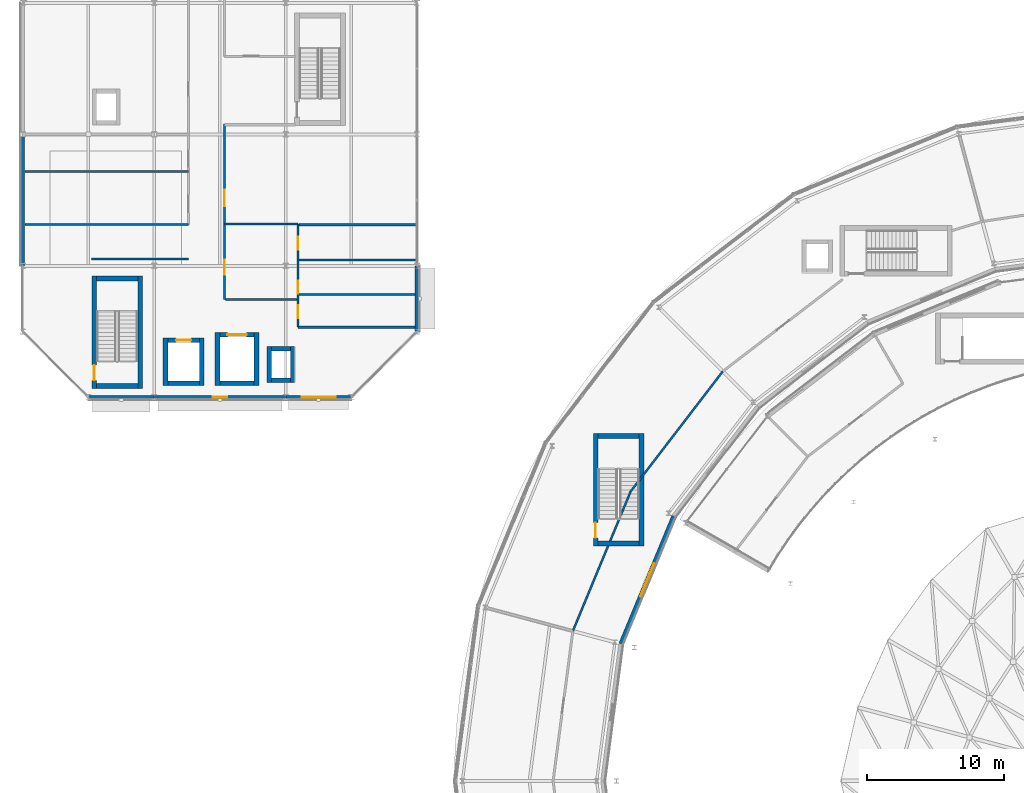
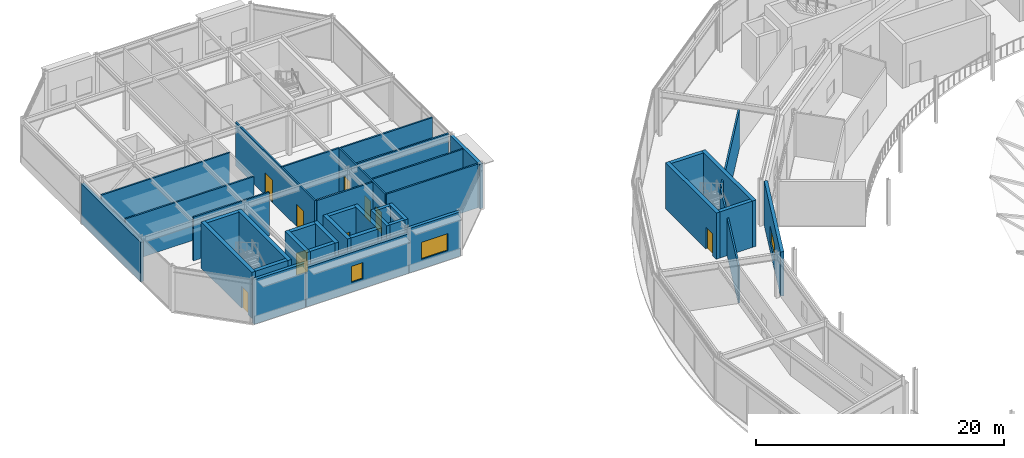
# One storey, part 84 of 116: 39 walls, 9 doors, 3 windows, 12 openings.
"""IFC4 building model written with IfcOpenShell, lengths in metres."""

from ifc_helpers import new_model, si_unit, direction, frame, frame_2d, origin, place, context, subcontext, project, spatial, rectangle, extrude, material, layer, layer_set, type_object, element, fill, save


model = new_model("IFC4")

# Units and contexts
model_context = context("Model", 3, precision=1e-05, world=origin(), true_north=direction((0.0, 1.0)))
body_context = subcontext(model_context, "Body", "Model", "MODEL_VIEW")
ifc_project = project(units=[si_unit("LENGTHUNIT", "METRE"), si_unit("AREAUNIT", "SQUARE_METRE"), si_unit("VOLUMEUNIT", "CUBIC_METRE"), si_unit("PLANEANGLEUNIT", "RADIAN"), si_unit("MASSUNIT", "GRAM", prefix="KILO")], contexts=[model_context])

# Site, building, storey
site_placement = place(None, origin())
site = spatial("IfcSite", under=ifc_project, at=site_placement, CompositionType="ELEMENT")
building_placement = place(site_placement, origin())
building = spatial("IfcBuilding", under=site, at=building_placement, Name="Almandine Court Research Institute", CompositionType="ELEMENT")
storey_placement = place(building_placement, frame((0.0, 0.0, 14.35009765625)))
storey = spatial("IfcBuildingStorey", under=building, at=storey_placement, Name="L03", CompositionType="ELEMENT", Elevation=14.35009765625)

# Walls
ifc_material_1 = material(Name="Insulated Ochre Terracotta Rainscreen Wall", Category="masonry")
ifc_layer_1 = layer(ifc_material_1, 0.2900390625)
ifc_layer_set_1 = layer_set([ifc_layer_1], Name="Insulated Ochre Terracotta Rainscreen Wall")
wall_type_1 = type_object("IfcWallType", Name="Wall-EXT-TERR-290", PredefinedType="SOLIDWALL", material=ifc_layer_set_1)
wall_1_placement = place(storey_placement, frame((6.0, 93.60400390625, 0.0), z_axis=(0.0, 0.0, 1.0), x_axis=(0.0, 1.0, 0.0)))
element("IfcWall", 1, at=wall_1_placement, inside=storey, type_object=wall_type_1, Name="L03 Cleanroom West Wall 2", PredefinedType="SOLIDWALL", context=body_context, shape_type="SweptSolid", body=[
    extrude(rectangle(XDim=9.592041015625, YDim=0.2900390625, at=frame_2d((4.7958984375, 0.0))), origin(), (0.0, 0.0, 1.0), 3.8837890625),
])
wall_2_placement = place(storey_placement, frame((34.800048828125, 93.595947265625, 0.0), z_axis=(0.0, 0.0, 1.0), x_axis=(0.0, -1.0, 0.0)))
element("IfcWall", 2, at=wall_2_placement, inside=storey, type_object=wall_type_1, Name="L03 Cleanroom East Wall 1", PredefinedType="SOLIDWALL", context=body_context, shape_type="SweptSolid", body=[
    extrude(rectangle(XDim=4.7919921875, YDim=0.2900390625, at=frame_2d((2.39599609375, 0.0))), origin(), (0.0, 0.0, 1.0), 4.369873046875),
])

# Wall, opening, window
wall_3_placement = place(storey_placement, frame((29.99609375, 84.0, 0.0), z_axis=(0.0, 0.0, 1.0), x_axis=(-1.0, 0.0, 0.0)))
wall_3 = element("IfcWall", 3, at=wall_3_placement, inside=storey, type_object=wall_type_1, Name="L03 Cleanroom South Wall 1", PredefinedType="SOLIDWALL", context=body_context, shape_type="SweptSolid", body=[
    extrude(rectangle(XDim=4.7919921875, YDim=0.2900390625, at=frame_2d((2.39599609375, 0.0))), origin(), (0.0, 0.0, 1.0), 4.369873046875),
])
opening_1_placement = place(wall_3_placement, frame((1.156005859375, 0.0, 0.949951171875)))
opening_1 = element("IfcOpeningElement", 4, at=opening_1_placement, cuts=wall_3, Name="Opening WN-34", PredefinedType="OPENING", context=body_context, shape_type="SweptSolid", body=[
    extrude(rectangle(XDim=2.47998046875, YDim=1.669921875, at=frame_2d((1.239990234375, 0.8349609375))), frame((0.0, 0.155029296875, 0.0), z_axis=(0.0, -1.0, 0.0), x_axis=(1.0, 0.0, 0.0)), (0.0, 0.0, 1.0), 0.31005859375),
])
ifc_material_2 = material(Name="Thermally Broken Low-E Double-Glazed Window", Category="glass")
window_type_1 = type_object("IfcWindowType", Name="Win-WN-34-2480x1670", PartitioningType="SINGLE_PANEL", PredefinedType="WINDOW", material=ifc_material_2)
window_1_placement = place(opening_1_placement, origin())
window_1 = element("IfcWindow", 5, at=window_1_placement, inside=storey, type_object=window_type_1, Name="L03 Modular Recessed Low-E Window 52", OverallHeight=1.669921875, OverallWidth=2.47998046875, PartitioningType="SINGLE_PANEL", PredefinedType="WINDOW", context=body_context, shape_type="SweptSolid", body=[
    extrude(rectangle(XDim=2.47998046875, YDim=1.669921875, at=frame_2d((1.239990234375, 0.8349609375))), frame((0.0, 0.030029296875, 0.0), z_axis=(0.0, -1.0, 0.0), x_axis=(1.0, 0.0, 0.0)), (0.0, 0.0, 1.0), 0.06005859375),
])
fill(opening_1, window_1)

wall_4_placement = place(storey_placement, frame((25.196044921875, 84.0, 0.0), z_axis=(0.0, 0.0, 1.0), x_axis=(-1.0, 0.0, 0.0)))
wall_4 = element("IfcWall", 6, at=wall_4_placement, inside=storey, type_object=wall_type_1, Name="L03 Cleanroom South Wall 2", PredefinedType="SOLIDWALL", context=body_context, shape_type="SweptSolid", body=[
    extrude(rectangle(XDim=9.592041015625, YDim=0.2900390625, at=frame_2d((4.7958984375, 0.0))), origin(), (0.0, 0.0, 1.0), 3.8837890625),
])
opening_2_placement = place(wall_4_placement, frame((4.27099609375, 0.0, 0.949951171875)))
opening_2 = element("IfcOpeningElement", 7, at=opening_2_placement, cuts=wall_4, Name="Opening WN-35", PredefinedType="OPENING", context=body_context, shape_type="SweptSolid", body=[
    extrude(rectangle(XDim=1.050048828125, YDim=1.590087890625, at=frame_2d((0.52490234375, 0.794921875))), frame((0.0, 0.155029296875, 0.0), z_axis=(0.0, -1.0, 0.0), x_axis=(1.0, 0.0, 0.0)), (0.0, 0.0, 1.0), 0.31005859375),
])
window_type_2 = type_object("IfcWindowType", Name="Win-WN-35-1050x1590", PartitioningType="SINGLE_PANEL", PredefinedType="WINDOW", material=ifc_material_2)
window_2_placement = place(opening_2_placement, origin())
window_2 = element("IfcWindow", 8, at=window_2_placement, inside=storey, type_object=window_type_2, Name="L03 Modular Recessed Low-E Window 53", OverallHeight=1.590087890625, OverallWidth=1.050048828125, PartitioningType="SINGLE_PANEL", PredefinedType="WINDOW", context=body_context, shape_type="SweptSolid", body=[
    extrude(rectangle(XDim=1.050048828125, YDim=1.590087890625, at=frame_2d((0.52490234375, 0.794921875))), frame((0.0, 0.030029296875, 0.0), z_axis=(0.0, -1.0, 0.0), x_axis=(1.0, 0.0, 0.0)), (0.0, 0.0, 1.0), 0.06005859375),
])
fill(opening_2, window_2)

# Wall
wall_5_placement = place(storey_placement, frame((15.595947265625, 84.0, 0.0), z_axis=(0.0, 0.0, 1.0), x_axis=(-1.0, 0.0, 0.0)))
element("IfcWall", 9, at=wall_5_placement, inside=storey, type_object=wall_type_1, Name="L03 Cleanroom South Wall 3", PredefinedType="SOLIDWALL", context=body_context, shape_type="SweptSolid", body=[
    extrude(rectangle(XDim=4.7919921875, YDim=0.2900390625, at=frame_2d((2.39599609375, 0.0))), origin(), (0.0, 0.0, 1.0), 4.369873046875),
])

# Wall, opening, window
wall_6_placement = place(storey_placement, frame((53.51708984375, 75.324951171875, 0.0), z_axis=(0.0, 0.0, 1.0), x_axis=(-0.382733240508, -0.92385889973, 0.0)))
wall_6 = element("IfcWall", 10, at=wall_6_placement, inside=storey, type_object=wall_type_1, Name="L03 Drum Inner Gallery Wall 10", PredefinedType="SOLIDWALL", context=body_context, shape_type="SweptSolid", body=[
    extrude(rectangle(XDim=10.08056640625, YDim=0.2900390625, at=frame_2d((5.040283203125, 0.0))), origin(), (0.0, 0.0, 1.0), 4.369873046875),
])
opening_3_placement = place(wall_6_placement, frame((3.7451171875, 0.0, 0.949951171875)))
opening_3 = element("IfcOpeningElement", 11, at=opening_3_placement, cuts=wall_6, Name="Opening WN-99", PredefinedType="OPENING", context=body_context, shape_type="SweptSolid", body=[
    extrude(rectangle(XDim=2.590087890625, YDim=1.590087890625, at=frame_2d((1.294921875, 0.794921875))), frame((0.0, 0.155029296875, 0.0), z_axis=(0.0, -1.0, 0.0), x_axis=(1.0, 0.0, 0.0)), (0.0, 0.0, 1.0), 0.31005859375),
])
window_type_3 = type_object("IfcWindowType", Name="Win-WN-99-2590x1590", PartitioningType="SINGLE_PANEL", PredefinedType="WINDOW", material=ifc_material_2)
window_3_placement = place(opening_3_placement, origin())
window_3 = element("IfcWindow", 12, at=window_3_placement, inside=storey, type_object=window_type_3, Name="L03 Modular Recessed Low-E Window 287", OverallHeight=1.590087890625, OverallWidth=2.590087890625, PartitioningType="SINGLE_PANEL", PredefinedType="WINDOW", context=body_context, shape_type="SweptSolid", body=[
    extrude(rectangle(XDim=2.590087890625, YDim=1.590087890625, at=frame_2d((1.294921875, 0.794921875))), frame((0.0, 0.030029296875, 0.0), z_axis=(0.0, -1.0, 0.0), x_axis=(1.0, 0.0, 0.0)), (0.0, 0.0, 1.0), 0.06005859375),
])
fill(opening_3, window_3)

# Walls
ifc_material_3 = material(Name="Acoustic Steel-Stud Gypsum Partition Wall", Category="steel")
ifc_layer_2 = layer(ifc_material_3, 0.14990234375)
ifc_layer_set_2 = layer_set([ifc_layer_2], Name="Acoustic Steel-Stud Gypsum Partition Wall")
wall_type_2 = type_object("IfcWallType", Name="Wall-PART-150", PredefinedType="PARTITIONING", material=ifc_layer_set_2)
wall_7_placement = place(storey_placement, frame((26.179931640625, 91.52001953125, 0.0), z_axis=(0.0, 0.0, 1.0), x_axis=(1.0, 0.0, 0.0)))
element("IfcWall", 13, at=wall_7_placement, inside=storey, type_object=wall_type_2, Name="L03 Interior Partition W-V3-L03-WCH-1", PredefinedType="PARTITIONING", context=body_context, shape_type="SweptSolid", body=[
    extrude(rectangle(XDim=8.4599609375, YDim=0.14990234375, at=frame_2d((4.22998046875, 0.0))), origin(), (0.0, 0.0, 1.0), 4.2998046875),
])
for number, where, z_axis, x_axis, name in (
    (14, (26.179931640625, 94.02001953125, 0.0), (0.0, 0.0, 1.0), (1.0, 0.0, 0.0), "L03 Interior Partition W-V3-L03-WCH-2"),
    (15, (26.179931640625, 96.60009765625, 0.0), (0.0, 0.0, 1.0), (1.0, 0.0, 0.0), "L03 Interior Partition W-V3-L03-WCH-3"),
):
    element("IfcWall", number, at=place(storey_placement, frame(where, z_axis=z_axis, x_axis=x_axis)), inside=storey, type_object=wall_type_2, Name=name, PredefinedType="PARTITIONING", context=body_context, shape_type="SweptSolid", body=[
        extrude(rectangle(XDim=8.56005859375, YDim=0.14990234375, at=frame_2d((4.280029296875, 0.0))), origin(), (0.0, 0.0, 1.0), 4.2998046875),
    ])
wall_8_placement = place(storey_placement, frame((26.10009765625, 89.1201171875, 0.0), z_axis=(0.0, 0.0, 1.0), x_axis=(1.0, 0.0, 0.0)))
element("IfcWall", 16, at=wall_8_placement, inside=storey, type_object=wall_type_2, Name="L03 Interior Partition W-V3-L03-WCS", PredefinedType="PARTITIONING", context=body_context, shape_type="SweptSolid", body=[
    extrude(rectangle(XDim=8.539794921875, YDim=0.14990234375, at=frame_2d((4.27001953125, 0.0))), origin(), (0.0, 0.0, 1.0), 4.2998046875),
])

# Wall, openings, doors
wall_9_placement = place(storey_placement, frame((26.10009765625, 89.1201171875, 0.0), z_axis=(0.0, 0.0, 1.0), x_axis=(0.0, 1.0, 0.0)))
wall_9 = element("IfcWall", 17, at=wall_9_placement, inside=storey, type_object=wall_type_2, Name="L03 Interior Partition W-V3-L03-WC-ALL", PredefinedType="PARTITIONING", context=body_context, shape_type="SweptSolid", body=[
    extrude(rectangle(XDim=7.52978515625, YDim=0.14990234375, at=frame_2d((3.764892578125, 0.0))), origin(), (0.0, 0.0, 1.0), 4.2998046875),
])
opening_4_placement = place(wall_9_placement, frame((0.659912109375, 0.0, 0.0)))
opening_4 = element("IfcOpeningElement", 18, at=opening_4_placement, cuts=wall_9, Name="Opening D-01", PredefinedType="OPENING", context=body_context, shape_type="SweptSolid", body=[
    extrude(rectangle(XDim=0.949951171875, YDim=2.10009765625, at=frame_2d((0.47509765625, 1.050048828125))), frame((0.0, 0.0849609375, 0.0), z_axis=(0.0, -1.0, 0.0), x_axis=(1.0, 0.0, 0.0)), (0.0, 0.0, 1.0), 0.169921875),
])
opening_5_placement = place(wall_9_placement, frame((2.43994140625, 0.0, 0.0)))
opening_5 = element("IfcOpeningElement", 19, at=opening_5_placement, cuts=wall_9, Name="Opening D-01", PredefinedType="OPENING", context=body_context, shape_type="SweptSolid", body=[
    extrude(rectangle(XDim=0.949951171875, YDim=2.10009765625, at=frame_2d((0.47509765625, 1.050048828125))), frame((0.0, 0.0849609375, 0.0), z_axis=(0.0, -1.0, 0.0), x_axis=(1.0, 0.0, 0.0)), (0.0, 0.0, 1.0), 0.169921875),
])
opening_6_placement = place(wall_9_placement, frame((5.639892578125, 0.0, 0.0)))
opening_6 = element("IfcOpeningElement", 20, at=opening_6_placement, cuts=wall_9, Name="Opening D-01", PredefinedType="OPENING", context=body_context, shape_type="SweptSolid", body=[
    extrude(rectangle(XDim=0.949951171875, YDim=2.10009765625, at=frame_2d((0.47509765625, 1.050048828125))), frame((0.0, 0.0849609375, 0.0), z_axis=(0.0, -1.0, 0.0), x_axis=(1.0, 0.0, 0.0)), (0.0, 0.0, 1.0), 0.169921875),
])
ifc_material_4 = material(Name="Solid-Core Timber Acoustic Room Door", Category="wood")
door_type_1 = type_object("IfcDoorType", Name="Door-INT-950", OperationType="NOTDEFINED", PredefinedType="DOOR", material=ifc_material_4)
door_1_placement = place(opening_4_placement, origin())
door_1 = element("IfcDoor", 21, at=door_1_placement, inside=storey, type_object=door_type_1, Name="L03 V3 Male Toilet Door", OperationType="SINGLE_SWING_LEFT", OverallHeight=2.10009765625, OverallWidth=0.949951171875, PredefinedType="DOOR", context=body_context, shape_type="SweptSolid", body=[
    extrude(rectangle(XDim=0.949951171875, YDim=2.10009765625, at=frame_2d((0.47509765625, 1.050048828125))), frame((0.0, 0.02490234375, 0.0), z_axis=(0.0, -1.0, 0.0), x_axis=(1.0, 0.0, 0.0)), (0.0, 0.0, 1.0), 0.050048828125),
])
fill(opening_4, door_1)
door_2_placement = place(opening_5_placement, origin())
door_2 = element("IfcDoor", 22, at=door_2_placement, inside=storey, type_object=door_type_1, Name="L03 V3 Female Toilet Door", OperationType="SINGLE_SWING_RIGHT", OverallHeight=2.10009765625, OverallWidth=0.949951171875, PredefinedType="DOOR", context=body_context, shape_type="SweptSolid", body=[
    extrude(rectangle(XDim=0.949951171875, YDim=2.10009765625, at=frame_2d((0.47509765625, 1.050048828125))), frame((0.0, 0.02490234375, 0.0), z_axis=(0.0, -1.0, 0.0), x_axis=(1.0, 0.0, 0.0)), (0.0, 0.0, 1.0), 0.050048828125),
])
fill(opening_5, door_2)
door_3_placement = place(opening_6_placement, origin())
door_3 = element("IfcDoor", 23, at=door_3_placement, inside=storey, type_object=door_type_1, Name="L03 V3 Accessible WC Door", OperationType="SINGLE_SWING_LEFT", OverallHeight=2.10009765625, OverallWidth=0.949951171875, PredefinedType="DOOR", context=body_context, shape_type="SweptSolid", body=[
    extrude(rectangle(XDim=0.949951171875, YDim=2.10009765625, at=frame_2d((0.47509765625, 1.050048828125))), frame((0.0, 0.02490234375, 0.0), z_axis=(0.0, -1.0, 0.0), x_axis=(1.0, 0.0, 0.0)), (0.0, 0.0, 1.0), 0.050048828125),
])
fill(opening_6, door_3)

# Walls
wall_10_placement = place(storey_placement, frame((6.159912109375, 96.6201171875, 0.0), z_axis=(0.0, 0.0, 1.0), x_axis=(1.0, 0.0, 0.0)))
element("IfcWall", 24, at=wall_10_placement, inside=storey, type_object=wall_type_2, Name="L03 Interior Partition W-V3-L03-CSW", PredefinedType="PARTITIONING", context=body_context, shape_type="SweptSolid", body=[
    extrude(rectangle(XDim=11.940185546875, YDim=0.14990234375, at=frame_2d((5.97021484375, 0.0))), origin(), (0.0, 0.0, 1.0), 4.2998046875),
])
wall_11_placement = place(storey_placement, frame((11.02001953125, 94.10009765625, 0.0), z_axis=(0.0, 0.0, 1.0), x_axis=(1.0, 0.0, 0.0)))
element("IfcWall", 25, at=wall_11_placement, inside=storey, type_object=wall_type_2, Name="L03 Interior Partition W-V3-L03-WS", PredefinedType="PARTITIONING", context=body_context, shape_type="SweptSolid", body=[
    extrude(rectangle(XDim=7.080078125, YDim=0.14990234375, at=frame_2d((3.5400390625, 0.0))), origin(), (0.0, 0.0, 1.0), 4.2998046875),
])

# Wall, openings, doors
wall_12_placement = place(storey_placement, frame((20.719970703125, 91.14990234375, 0.0), z_axis=(0.0, 0.0, 1.0), x_axis=(0.0, 1.0, 0.0)))
wall_12 = element("IfcWall", 26, at=wall_12_placement, inside=storey, type_object=wall_type_2, Name="L03 Interior Partition W-V3-L03-CE", PredefinedType="PARTITIONING", context=body_context, shape_type="SweptSolid", body=[
    extrude(rectangle(XDim=12.800048828125, YDim=0.14990234375, at=frame_2d((6.39990234375, 0.0))), origin(), (0.0, 0.0, 1.0), 4.2998046875),
])
opening_7_placement = place(wall_12_placement, frame((1.800048828125, 0.0, 0.0)))
opening_7 = element("IfcOpeningElement", 27, at=opening_7_placement, cuts=wall_12, Name="Opening D-03", PredefinedType="OPENING", context=body_context, shape_type="SweptSolid", body=[
    extrude(rectangle(XDim=1.10009765625, YDim=2.199951171875, at=frame_2d((0.550048828125, 1.10009765625))), frame((0.0, 0.0849609375, 0.0), z_axis=(0.0, -1.0, 0.0), x_axis=(1.0, 0.0, 0.0)), (0.0, 0.0, 1.0), 0.169921875),
])
opening_8_placement = place(wall_12_placement, frame((6.800048828125, 0.0, 0.0)))
opening_8 = element("IfcOpeningElement", 28, at=opening_8_placement, cuts=wall_12, Name="Opening D-04", PredefinedType="OPENING", context=body_context, shape_type="SweptSolid", body=[
    extrude(rectangle(XDim=1.199951171875, YDim=2.199951171875, at=frame_2d((0.60009765625, 1.10009765625))), frame((0.0, 0.0849609375, 0.0), z_axis=(0.0, -1.0, 0.0), x_axis=(1.0, 0.0, 0.0)), (0.0, 0.0, 1.0), 0.169921875),
])
ifc_material_5 = material(Name="Acoustic Vision-Panel Seminar Door")
door_type_2 = type_object("IfcDoorType", Name="Door-INT-1100", OperationType="NOTDEFINED", PredefinedType="DOOR", material=ifc_material_5)
door_4_placement = place(opening_7_placement, origin())
door_4 = element("IfcDoor", 29, at=door_4_placement, inside=storey, type_object=door_type_2, Name="L03 Instrument Room Door", OperationType="SINGLE_SWING_RIGHT", OverallHeight=2.199951171875, OverallWidth=1.10009765625, PredefinedType="DOOR", context=body_context, shape_type="SweptSolid", body=[
    extrude(rectangle(XDim=1.10009765625, YDim=2.199951171875, at=frame_2d((0.550048828125, 1.10009765625))), frame((0.0, 0.02490234375, 0.0), z_axis=(0.0, -1.0, 0.0), x_axis=(1.0, 0.0, 0.0)), (0.0, 0.0, 1.0), 0.050048828125),
])
fill(opening_7, door_4)
ifc_material_6 = material(Name="Wide Acoustic Laboratory Suite Door")
door_type_3 = type_object("IfcDoorType", Name="Door-INT-1200", OperationType="NOTDEFINED", PredefinedType="DOOR", material=ifc_material_6)
door_5_placement = place(opening_8_placement, origin())
door_5 = element("IfcDoor", 30, at=door_5_placement, inside=storey, type_object=door_type_3, Name="L03 Nanofabrication Lab Door", OperationType="SINGLE_SWING_LEFT", OverallHeight=2.199951171875, OverallWidth=1.199951171875, PredefinedType="DOOR", context=body_context, shape_type="SweptSolid", body=[
    extrude(rectangle(XDim=1.199951171875, YDim=2.199951171875, at=frame_2d((0.60009765625, 1.10009765625))), frame((0.0, 0.02490234375, 0.0), z_axis=(0.0, -1.0, 0.0), x_axis=(1.0, 0.0, 0.0)), (0.0, 0.0, 1.0), 0.050048828125),
])
fill(opening_8, door_5)

# Walls
wall_13_placement = place(storey_placement, frame((20.820068359375, 91.14990234375, 0.0), z_axis=(0.0, 0.0, 1.0), x_axis=(1.0, 0.0, 0.0)))
element("IfcWall", 31, at=wall_13_placement, inside=storey, type_object=wall_type_2, Name="L03 Interior Partition W-V3-L03-CES", PredefinedType="PARTITIONING", context=body_context, shape_type="SweptSolid", body=[
    extrude(rectangle(XDim=5.199951171875, YDim=0.14990234375, at=frame_2d((2.60009765625, 0.0))), origin(), (0.0, 0.0, 1.0), 4.2998046875),
])
wall_14_placement = place(storey_placement, frame((20.719970703125, 96.64990234375, 0.0), z_axis=(0.0, 0.0, 1.0), x_axis=(1.0, 0.0, 0.0)))
element("IfcWall", 32, at=wall_14_placement, inside=storey, type_object=wall_type_2, Name="L03 Interior Partition W-V3-L03-SUBN", PredefinedType="PARTITIONING", context=body_context, shape_type="SweptSolid", body=[
    extrude(rectangle(XDim=5.380126953125, YDim=0.14990234375, at=frame_2d((2.68994140625, 0.0))), origin(), (0.0, 0.0, 1.0), 4.2998046875),
])
wall_15_placement = place(storey_placement, frame((6.159912109375, 100.5, 0.0), z_axis=(0.0, 0.0, 1.0), x_axis=(1.0, 0.0, 0.0)))
element("IfcWall", 33, at=wall_15_placement, inside=storey, type_object=wall_type_2, Name="L03 Interior Partition W-V3-L03-SA", PredefinedType="PARTITIONING", context=body_context, shape_type="SweptSolid", body=[
    extrude(rectangle(XDim=11.940185546875, YDim=0.14990234375, at=frame_2d((5.97021484375, 0.0))), origin(), (0.0, 0.0, 1.0), 4.2998046875),
])
wall_16_placement = place(storey_placement, frame((57.10400390625, 85.89599609375, 0.0), z_axis=(0.0, 0.0, 1.0), x_axis=(-0.608828497024, -0.793301872689, 0.0)))
element("IfcWall", 34, at=wall_16_placement, inside=storey, type_object=wall_type_2, Name="L03 Interior Partition W-V5-L03-CHD-09", PredefinedType="PARTITIONING", context=body_context, shape_type="SweptSolid", body=[
    extrude(rectangle(XDim=11.03759765625, YDim=0.14990234375, at=frame_2d((5.518798828125, 0.0))), origin(), (0.0, 0.0, 1.0), 3.73779296875),
])
wall_17_placement = place(storey_placement, frame((50.384033203125, 77.139892578125, 0.0), z_axis=(0.0, 0.0, 1.0), x_axis=(-0.382644845446, -0.923895514793, 0.0)))
element("IfcWall", 35, at=wall_17_placement, inside=storey, type_object=wall_type_2, Name="L03 Interior Partition W-V5-L03-CHD-10", PredefinedType="PARTITIONING", context=body_context, shape_type="SweptSolid", body=[
    extrude(rectangle(XDim=11.03662109375, YDim=0.14990234375, at=frame_2d((5.518310546875, 0.0))), origin(), (0.0, 0.0, 1.0), 3.69091796875),
])
ifc_material_7 = material(Name="Concrete C40/50", Category="concrete")
ifc_layer_3 = layer(ifc_material_7, 0.300048828125)
ifc_layer_set_3 = layer_set([ifc_layer_3], Name="Concrete C40/50")
wall_type_3 = type_object("IfcWallType", Name="Wall-SW-CORE-300", PredefinedType="SHEAR", material=ifc_layer_set_3)
wall_18_placement = place(storey_placement, frame((24.0, 85.10009765625, 0.0), z_axis=(0.0, 0.0, 1.0), x_axis=(0.0, 1.0, 0.0)))
element("IfcWall", 36, at=wall_18_placement, inside=storey, type_object=wall_type_3, Name="L03 MEP Riser RS-V3A W Shear Wall", PredefinedType="SHEAR", context=body_context, shape_type="SweptSolid", body=[
    extrude(rectangle(XDim=2.599853515625, YDim=0.300048828125, at=frame_2d((1.2998046875, 0.0))), origin(), (0.0, 0.0, 1.0), 4.369873046875),
])
wall_19_placement = place(storey_placement, frame((24.14990234375, 87.550048828125, 0.0), z_axis=(0.0, 0.0, 1.0), x_axis=(1.0, 0.0, 0.0)))
element("IfcWall", 37, at=wall_19_placement, inside=storey, type_object=wall_type_3, Name="L03 MEP Riser RS-V3A N Shear Wall", PredefinedType="SHEAR", context=body_context, shape_type="SweptSolid", body=[
    extrude(rectangle(XDim=1.400146484375, YDim=0.300048828125, at=frame_2d((0.7001953125, 0.0))), origin(), (0.0, 0.0, 1.0), 4.369873046875),
])
wall_20_placement = place(storey_placement, frame((25.699951171875, 87.699951171875, 0.0), z_axis=(0.0, 0.0, 1.0), x_axis=(0.0, -1.0, 0.0)))
element("IfcWall", 38, at=wall_20_placement, inside=storey, type_object=wall_type_3, Name="L03 MEP Riser RS-V3A E Shear Wall", PredefinedType="SHEAR", context=body_context, shape_type="SweptSolid", body=[
    extrude(rectangle(XDim=2.599853515625, YDim=0.300048828125, at=frame_2d((1.2998046875, 0.0))), origin(), (0.0, 0.0, 1.0), 4.369873046875),
])
wall_21_placement = place(storey_placement, frame((25.550048828125, 85.25, 0.0), z_axis=(0.0, 0.0, 1.0), x_axis=(-1.0, 0.0, 0.0)))
element("IfcWall", 39, at=wall_21_placement, inside=storey, type_object=wall_type_3, Name="L03 MEP Riser RS-V3A S Shear Wall", PredefinedType="SHEAR", context=body_context, shape_type="SweptSolid", body=[
    extrude(rectangle(XDim=1.400146484375, YDim=0.300048828125, at=frame_2d((0.7001953125, 0.0))), origin(), (0.0, 0.0, 1.0), 4.369873046875),
])

# Wall, opening, door
ifc_layer_4 = layer(ifc_material_7, 0.35009765625)
ifc_layer_set_4 = layer_set([ifc_layer_4], Name="Concrete C40/50")
wall_type_4 = type_object("IfcWallType", Name="Wall-SW-CORE-350", PredefinedType="SHEAR", material=ifc_layer_set_4)
wall_22_placement = place(storey_placement, frame((11.22509765625, 84.64990234375, 0.0), z_axis=(0.0, 0.0, 1.0), x_axis=(0.0, 1.0, 0.0)))
wall_22 = element("IfcWall", 40, at=wall_22_placement, inside=storey, type_object=wall_type_4, Name="L03 ST-05 W Shear Wall", PredefinedType="SHEAR", context=body_context, shape_type="SweptSolid", body=[
    extrude(rectangle(XDim=8.2001953125, YDim=0.35009765625, at=frame_2d((4.10009765625, 0.0))), origin(), (0.0, 0.0, 1.0), 4.5498046875),
])
opening_9_placement = place(wall_22_placement, frame((0.60009765625, 0.0, 0.0)))
opening_9 = element("IfcOpeningElement", 41, at=opening_9_placement, cuts=wall_22, Name="Opening FD-STAIR", PredefinedType="OPENING", context=body_context, shape_type="SweptSolid", body=[
    extrude(rectangle(XDim=1.10009765625, YDim=2.14990234375, at=frame_2d((0.550048828125, 1.074951171875))), frame((0.0, 0.18505859375, 0.0), z_axis=(0.0, -1.0, 0.0), x_axis=(1.0, 0.0, 0.0)), (0.0, 0.0, 1.0), 0.3701171875),
])
ifc_material_8 = material(Name="Self-Closing Steel Exit Stair Fire Door", Category="steel")
door_type_4 = type_object("IfcDoorType", Name="Door-FD-STAIR-1100", OperationType="NOTDEFINED", PredefinedType="DOOR", material=ifc_material_8)
door_6_placement = place(opening_9_placement, origin())
door_6 = element("IfcDoor", 42, at=door_6_placement, inside=storey, type_object=door_type_4, Name="L03 Exit Stair ST-05 Fire Door", OperationType="SINGLE_SWING_LEFT", OverallHeight=2.14990234375, OverallWidth=1.10009765625, PredefinedType="DOOR", context=body_context, shape_type="SweptSolid", body=[
    extrude(rectangle(XDim=1.10009765625, YDim=2.14990234375, at=frame_2d((0.550048828125, 1.074951171875))), frame((0.0, 0.02490234375, 0.0), z_axis=(0.0, -1.0, 0.0), x_axis=(1.0, 0.0, 0.0)), (0.0, 0.0, 1.0), 0.050048828125),
])
fill(opening_9, door_6)

# Walls
wall_23_placement = place(storey_placement, frame((11.39990234375, 92.675048828125, 0.0), z_axis=(0.0, 0.0, 1.0), x_axis=(1.0, 0.0, 0.0)))
element("IfcWall", 43, at=wall_23_placement, inside=storey, type_object=wall_type_4, Name="L03 ST-05 N Shear Wall", PredefinedType="SHEAR", context=body_context, shape_type="SweptSolid", body=[
    extrude(rectangle(XDim=3.0, YDim=0.35009765625, at=frame_2d((1.5, 0.0))), origin(), (0.0, 0.0, 1.0), 4.5498046875),
])
wall_24_placement = place(storey_placement, frame((14.574951171875, 92.85009765625, 0.0), z_axis=(0.0, 0.0, 1.0), x_axis=(0.0, -1.0, 0.0)))
element("IfcWall", 44, at=wall_24_placement, inside=storey, type_object=wall_type_4, Name="L03 ST-05 E Shear Wall", PredefinedType="SHEAR", context=body_context, shape_type="SweptSolid", body=[
    extrude(rectangle(XDim=8.2001953125, YDim=0.35009765625, at=frame_2d((4.10009765625, 0.0))), origin(), (0.0, 0.0, 1.0), 4.5498046875),
])
wall_25_placement = place(storey_placement, frame((14.39990234375, 84.824951171875, 0.0), z_axis=(0.0, 0.0, 1.0), x_axis=(-1.0, 0.0, 0.0)))
element("IfcWall", 45, at=wall_25_placement, inside=storey, type_object=wall_type_4, Name="L03 ST-05 S Shear Wall", PredefinedType="SHEAR", context=body_context, shape_type="SweptSolid", body=[
    extrude(rectangle(XDim=3.0, YDim=0.35009765625, at=frame_2d((1.5, 0.0))), origin(), (0.0, 0.0, 1.0), 4.5498046875),
])

# Wall, opening, door
wall_26_placement = place(storey_placement, frame((47.824951171875, 73.14990234375, 0.0), z_axis=(0.0, 0.0, 1.0), x_axis=(0.0, 1.0, 0.0)))
wall_26 = element("IfcWall", 46, at=wall_26_placement, inside=storey, type_object=wall_type_4, Name="L03 ST-15 W Shear Wall", PredefinedType="SHEAR", context=body_context, shape_type="SweptSolid", body=[
    extrude(rectangle(XDim=8.2001953125, YDim=0.35009765625, at=frame_2d((4.10009765625, 0.0))), origin(), (0.0, 0.0, 1.0), 4.5498046875),
])
opening_10_placement = place(wall_26_placement, frame((0.60009765625, 0.0, 0.0)))
opening_10 = element("IfcOpeningElement", 47, at=opening_10_placement, cuts=wall_26, Name="Opening FD-STAIR", PredefinedType="OPENING", context=body_context, shape_type="SweptSolid", body=[
    extrude(rectangle(XDim=1.10009765625, YDim=2.14990234375, at=frame_2d((0.550048828125, 1.074951171875))), frame((0.0, 0.18505859375, 0.0), z_axis=(0.0, -1.0, 0.0), x_axis=(1.0, 0.0, 0.0)), (0.0, 0.0, 1.0), 0.3701171875),
])
door_7_placement = place(opening_10_placement, origin())
door_7 = element("IfcDoor", 48, at=door_7_placement, inside=storey, type_object=door_type_4, Name="L03 Exit Stair ST-15 Fire Door", OperationType="SINGLE_SWING_LEFT", OverallHeight=2.14990234375, OverallWidth=1.10009765625, PredefinedType="DOOR", context=body_context, shape_type="SweptSolid", body=[
    extrude(rectangle(XDim=1.10009765625, YDim=2.14990234375, at=frame_2d((0.550048828125, 1.074951171875))), frame((0.0, 0.02490234375, 0.0), z_axis=(0.0, -1.0, 0.0), x_axis=(1.0, 0.0, 0.0)), (0.0, 0.0, 1.0), 0.050048828125),
])
fill(opening_10, door_7)

# Walls
wall_27_placement = place(storey_placement, frame((48.0, 81.175048828125, 0.0), z_axis=(0.0, 0.0, 1.0), x_axis=(1.0, 0.0, 0.0)))
element("IfcWall", 49, at=wall_27_placement, inside=storey, type_object=wall_type_4, Name="L03 ST-15 N Shear Wall", PredefinedType="SHEAR", context=body_context, shape_type="SweptSolid", body=[
    extrude(rectangle(XDim=3.0, YDim=0.35009765625, at=frame_2d((1.5, 0.0))), origin(), (0.0, 0.0, 1.0), 4.5498046875),
])
wall_28_placement = place(storey_placement, frame((51.175048828125, 81.35009765625, 0.0), z_axis=(0.0, 0.0, 1.0), x_axis=(0.0, -1.0, 0.0)))
element("IfcWall", 50, at=wall_28_placement, inside=storey, type_object=wall_type_4, Name="L03 ST-15 E Shear Wall", PredefinedType="SHEAR", context=body_context, shape_type="SweptSolid", body=[
    extrude(rectangle(XDim=8.2001953125, YDim=0.35009765625, at=frame_2d((4.10009765625, 0.0))), origin(), (0.0, 0.0, 1.0), 4.5498046875),
])
wall_29_placement = place(storey_placement, frame((51.0, 73.324951171875, 0.0), z_axis=(0.0, 0.0, 1.0), x_axis=(-1.0, 0.0, 0.0)))
element("IfcWall", 51, at=wall_29_placement, inside=storey, type_object=wall_type_4, Name="L03 ST-15 S Shear Wall", PredefinedType="SHEAR", context=body_context, shape_type="SweptSolid", body=[
    extrude(rectangle(XDim=3.0, YDim=0.35009765625, at=frame_2d((1.5, 0.0))), origin(), (0.0, 0.0, 1.0), 4.5498046875),
])
wall_30_placement = place(storey_placement, frame((16.425048828125, 84.85009765625, 0.0), z_axis=(0.0, 0.0, 1.0), x_axis=(0.0, 1.0, 0.0)))
element("IfcWall", 52, at=wall_30_placement, inside=storey, type_object=wall_type_4, Name="L03 PL-02 Hoistway W Shear Wall", PredefinedType="SHEAR", context=body_context, shape_type="SweptSolid", body=[
    extrude(rectangle(XDim=3.5, YDim=0.35009765625, at=frame_2d((1.75, 0.0))), origin(), (0.0, 0.0, 1.0), 4.5498046875),
])

# Wall, opening, door
wall_31_placement = place(storey_placement, frame((16.60009765625, 88.175048828125, 0.0), z_axis=(0.0, 0.0, 1.0), x_axis=(1.0, 0.0, 0.0)))
wall_31 = element("IfcWall", 53, at=wall_31_placement, inside=storey, type_object=wall_type_4, Name="L03 PL-02 Hoistway N Shear Wall", PredefinedType="SHEAR", context=body_context, shape_type="SweptSolid", body=[
    extrude(rectangle(XDim=2.2998046875, YDim=0.35009765625, at=frame_2d((1.14990234375, 0.0))), origin(), (0.0, 0.0, 1.0), 4.5498046875),
])
opening_11_placement = place(wall_31_placement, frame((0.60009765625, 0.0, 0.0)))
opening_11 = element("IfcOpeningElement", 54, at=opening_11_placement, cuts=wall_31, Name="Opening LD-01", PredefinedType="OPENING", context=body_context, shape_type="SweptSolid", body=[
    extrude(rectangle(XDim=1.10009765625, YDim=2.14990234375, at=frame_2d((0.550048828125, 1.074951171875))), frame((0.0, 0.18505859375, 0.0), z_axis=(0.0, -1.0, 0.0), x_axis=(1.0, 0.0, 0.0)), (0.0, 0.0, 1.0), 0.3701171875),
])
ifc_material_9 = material(Name="Stainless Steel Lift Landing Sliding Door", Category="steel")
door_type_5 = type_object("IfcDoorType", Name="Door-LD-PASS-1100", OperationType="SLIDING_TO_LEFT", PredefinedType="USERDEFINED", material=ifc_material_9)
door_8_placement = place(opening_11_placement, origin())
door_8 = element("IfcDoor", 55, at=door_8_placement, inside=storey, type_object=door_type_5, Name="L03 Cleanroom Pavilion Passenger Lift PL-02 Sliding Landing Door", ObjectType="LANDING DOOR", OperationType="SLIDING_TO_LEFT", OverallHeight=2.14990234375, OverallWidth=1.10009765625, PredefinedType="USERDEFINED", context=body_context, shape_type="SweptSolid", body=[
    extrude(rectangle(XDim=1.10009765625, YDim=2.14990234375, at=frame_2d((0.550048828125, 1.074951171875))), frame((0.0, 0.02490234375, 0.0), z_axis=(0.0, -1.0, 0.0), x_axis=(1.0, 0.0, 0.0)), (0.0, 0.0, 1.0), 0.050048828125),
])
fill(opening_11, door_8)

# Walls
wall_32_placement = place(storey_placement, frame((19.074951171875, 88.35009765625, 0.0), z_axis=(0.0, 0.0, 1.0), x_axis=(0.0, -1.0, 0.0)))
element("IfcWall", 56, at=wall_32_placement, inside=storey, type_object=wall_type_4, Name="L03 PL-02 Hoistway E Shear Wall", PredefinedType="SHEAR", context=body_context, shape_type="SweptSolid", body=[
    extrude(rectangle(XDim=3.5, YDim=0.35009765625, at=frame_2d((1.75, 0.0))), origin(), (0.0, 0.0, 1.0), 4.5498046875),
])
wall_33_placement = place(storey_placement, frame((18.89990234375, 85.02490234375, 0.0), z_axis=(0.0, 0.0, 1.0), x_axis=(-1.0, 0.0, 0.0)))
element("IfcWall", 57, at=wall_33_placement, inside=storey, type_object=wall_type_4, Name="L03 PL-02 Hoistway S Shear Wall", PredefinedType="SHEAR", context=body_context, shape_type="SweptSolid", body=[
    extrude(rectangle(XDim=2.2998046875, YDim=0.35009765625, at=frame_2d((1.14990234375, 0.0))), origin(), (0.0, 0.0, 1.0), 4.5498046875),
])
wall_34_placement = place(storey_placement, frame((20.22509765625, 84.85009765625, 0.0), z_axis=(0.0, 0.0, 1.0), x_axis=(0.0, 1.0, 0.0)))
element("IfcWall", 58, at=wall_34_placement, inside=storey, type_object=wall_type_4, Name="L03 GL-02 Hoistway W Shear Wall", PredefinedType="SHEAR", context=body_context, shape_type="SweptSolid", body=[
    extrude(rectangle(XDim=3.89990234375, YDim=0.35009765625, at=frame_2d((1.949951171875, 0.0))), origin(), (0.0, 0.0, 1.0), 4.5498046875),
])

# Wall, opening, door
wall_35_placement = place(storey_placement, frame((20.39990234375, 88.574951171875, 0.0), z_axis=(0.0, 0.0, 1.0), x_axis=(1.0, 0.0, 0.0)))
wall_35 = element("IfcWall", 59, at=wall_35_placement, inside=storey, type_object=wall_type_4, Name="L03 GL-02 Hoistway N Shear Wall", PredefinedType="SHEAR", context=body_context, shape_type="SweptSolid", body=[
    extrude(rectangle(XDim=2.5, YDim=0.35009765625, at=frame_2d((1.25, 0.0))), origin(), (0.0, 0.0, 1.0), 4.5498046875),
])
opening_12_placement = place(wall_35_placement, frame((0.550048828125, 0.0, 0.0)))
opening_12 = element("IfcOpeningElement", 60, at=opening_12_placement, cuts=wall_35, Name="Opening LD-03", PredefinedType="OPENING", context=body_context, shape_type="SweptSolid", body=[
    extrude(rectangle(XDim=1.39990234375, YDim=2.300048828125, at=frame_2d((0.699951171875, 1.14990234375))), frame((0.0, 0.18505859375, 0.0), z_axis=(0.0, -1.0, 0.0), x_axis=(1.0, 0.0, 0.0)), (0.0, 0.0, 1.0), 0.3701171875),
])
ifc_material_10 = material(Name="Heavy Goods Lift Landing Sliding Door")
door_type_6 = type_object("IfcDoorType", Name="Door-LD-GOOD-1400", OperationType="SLIDING_TO_LEFT", PredefinedType="USERDEFINED", material=ifc_material_10)
door_9_placement = place(opening_12_placement, origin())
door_9 = element("IfcDoor", 61, at=door_9_placement, inside=storey, type_object=door_type_6, Name="L03 Cleanroom Equipment Goods Lift GL-02 Sliding Landing Door", ObjectType="LANDING DOOR", OperationType="SLIDING_TO_LEFT", OverallHeight=2.300048828125, OverallWidth=1.39990234375, PredefinedType="USERDEFINED", context=body_context, shape_type="SweptSolid", body=[
    extrude(rectangle(XDim=1.39990234375, YDim=2.300048828125, at=frame_2d((0.699951171875, 1.14990234375))), frame((0.0, 0.02490234375, 0.0), z_axis=(0.0, -1.0, 0.0), x_axis=(1.0, 0.0, 0.0)), (0.0, 0.0, 1.0), 0.050048828125),
])
fill(opening_12, door_9)

# Walls
wall_36_placement = place(storey_placement, frame((23.074951171875, 88.75, 0.0), z_axis=(0.0, 0.0, 1.0), x_axis=(0.0, -1.0, 0.0)))
element("IfcWall", 62, at=wall_36_placement, inside=storey, type_object=wall_type_4, Name="L03 GL-02 Hoistway E Shear Wall", PredefinedType="SHEAR", context=body_context, shape_type="SweptSolid", body=[
    extrude(rectangle(XDim=3.89990234375, YDim=0.35009765625, at=frame_2d((1.949951171875, 0.0))), origin(), (0.0, 0.0, 1.0), 4.5498046875),
])
wall_37_placement = place(storey_placement, frame((22.89990234375, 85.02490234375, 0.0), z_axis=(0.0, 0.0, 1.0), x_axis=(-1.0, 0.0, 0.0)))
element("IfcWall", 63, at=wall_37_placement, inside=storey, type_object=wall_type_4, Name="L03 GL-02 Hoistway S Shear Wall", PredefinedType="SHEAR", context=body_context, shape_type="SweptSolid", body=[
    extrude(rectangle(XDim=2.5, YDim=0.35009765625, at=frame_2d((1.25, 0.0))), origin(), (0.0, 0.0, 1.0), 4.5498046875),
])

save(model, "model.ifc")
